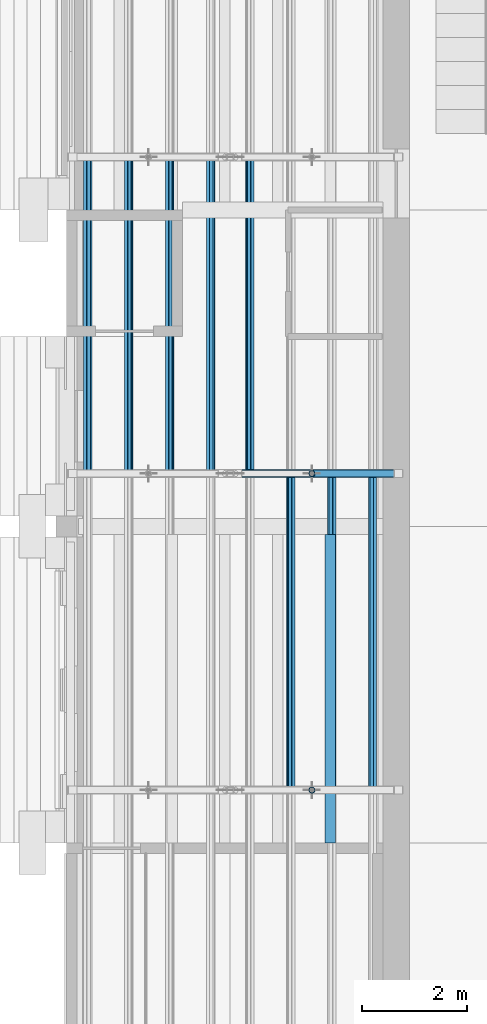
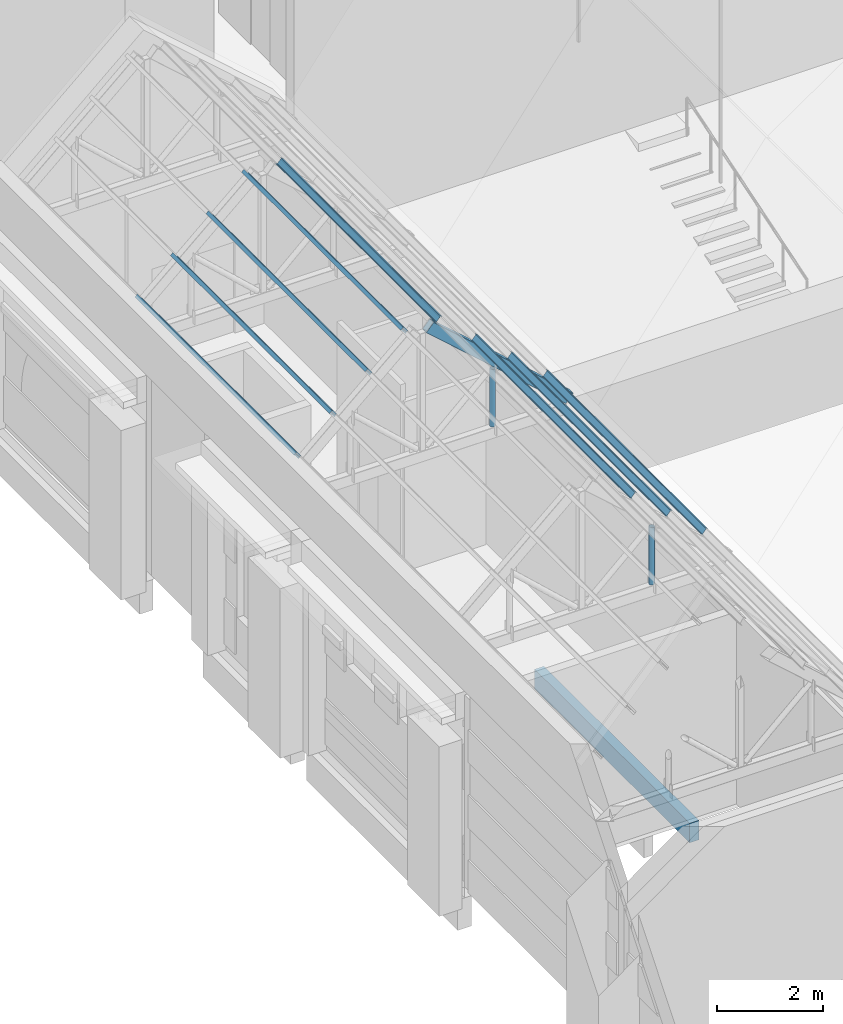
# One storey, part 40 of 118: 11 members, 1 beam.
"""IFC4 building model written with IfcOpenShell, lengths in metres."""

from ifc_helpers import new_model, si_unit, direction, frame, origin, origin_2d, place, context, subcontext, project, spatial, rectangle, hollow_rectangle, hollow_circle, i_section, extrude, material, material_profile, profile_set, type_object, element, save


model = new_model("IFC4")

# Units and contexts
model_context = context("Model", 3, precision=1e-05, world=origin(), true_north=direction((0.0, 1.0)))
body_context = subcontext(model_context, "Body", "Model", "MODEL_VIEW")
ifc_project = project(units=[si_unit("LENGTHUNIT", "METRE"), si_unit("AREAUNIT", "SQUARE_METRE"), si_unit("VOLUMEUNIT", "CUBIC_METRE"), si_unit("PLANEANGLEUNIT", "RADIAN"), si_unit("MASSUNIT", "GRAM", prefix="KILO")], contexts=[model_context])

# Site, building, storey
site_placement = place(None, origin())
site = spatial("IfcSite", under=ifc_project, at=site_placement, CompositionType="ELEMENT")
building_placement = place(site_placement, origin())
building = spatial("IfcBuilding", under=site, at=building_placement, Name="Saffron Lane Theatres", CompositionType="ELEMENT")
storey_placement = place(building_placement, frame((0.0, 0.0, 16.5)))
storey = spatial("IfcBuildingStorey", under=building, at=storey_placement, Name="L03", CompositionType="ELEMENT", Elevation=16.5)

# Beam
ifc_material_1 = material(Name="Concrete N40 (40 MPa)", Category="concrete")
ifc_material_profile_1 = material_profile(ifc_material_1, rectangle(XDim=0.199951171875, YDim=0.449951171875, at=origin_2d()))
ifc_profile_set_1 = profile_set([ifc_material_profile_1], Name="Concrete N40 (40 MPa)")
beam_type = type_object("IfcBeamType", Name="RC-JOIST 200x450", PredefinedType="JOIST", material=ifc_profile_set_1)
beam_placement = place(storey_placement, frame((17.0, 72.0, -0.47509765625), z_axis=(0.0, 1.0, 0.0), x_axis=(-1.0, 0.0, 0.0)))
element("IfcBeam", 1, at=beam_placement, inside=storey, type_object=beam_type, Name="joist-L03-y1700-720", PredefinedType="JOIST", context=body_context, shape_type="SweptSolid", body=[
    extrude(rectangle(XDim=0.199951171875, YDim=0.449951171875, at=origin_2d()), origin(), (0.0, 0.0, 1.0), 5.85009765625),
])

# Members
ifc_material_2 = material(Name="Steel Grade 350", Category="steel")
ifc_material_profile_2 = material_profile(ifc_material_2, i_section(OverallWidth=0.074951171875, OverallDepth=0.155029296875, WebThickness=0.006103515625, FlangeThickness=0.009521484375, FilletRadius=0.008056640625, at=origin_2d()))
ifc_profile_set_2 = profile_set([ifc_material_profile_2], Name="Steel Grade 350")
member_type_1 = type_object("IfcMemberType", Name="ST-STUDIO PURLIN 150UB18.0", PredefinedType="PURLIN", material=ifc_profile_set_2)
for number, where, z_axis, x_axis, name in (
    (2, (12.40283203125, 79.0, 5.544677734375), (0.0, 1.0, 0.0), (-0.748268687469, 0.0, -0.663395787863), "SB1-U61"),
    (3, (13.177734375, 79.0, 6.23193359375), (0.0, 1.0, 0.0), (-0.748268687469, 0.0, -0.663395787863), "SB1-U67"),
    (4, (13.95263671875, 79.0, 6.9189453125), (0.0, 1.0, 0.0), (-0.748268687469, 0.0, -0.663395787863), "SB1-U73"),
    (5, (14.727783203125, 79.0, 7.60595703125), (0.0, 1.0, 0.0), (-0.748268687469, 0.0, -0.663395787863), "SB1-U79"),
    (6, (17.79736328125, 73.0, 5.544677734375), (0.0, 1.0, 0.0), (-0.748268687469, 0.0, 0.663395787863), "SB1-U84"),
    (7, (17.022216796875, 73.0, 6.23193359375), (0.0, 1.0, 0.0), (-0.748268687469, 0.0, 0.663395787863), "SB1-U90"),
    (8, (16.247314453125, 73.0, 6.9189453125), (0.0, 1.0, 0.0), (-0.748268687469, 0.0, 0.663395787863), "SB1-U96"),
    (9, (15.47216796875, 79.0, 7.60595703125), (0.0, 1.0, 0.0), (-0.748268687469, 0.0, 0.663395787863), "SB1-U103"),
):
    element("IfcMember", number, at=place(storey_placement, frame(where, z_axis=z_axis, x_axis=x_axis)), inside=storey, type_object=member_type_1, Name=name, PredefinedType="PURLIN", context=body_context, shape_type="SweptSolid", body=[
        extrude(i_section(OverallWidth=0.074951171875, OverallDepth=0.155029296875, WebThickness=0.006103515625, FlangeThickness=0.009521484375, FilletRadius=0.008056640625, at=origin_2d()), origin(), (0.0, 0.0, 1.0), 6.0),
    ])
ifc_material_3 = material(Name="Steel Grade 350", Category="steel")
ifc_material_profile_3 = material_profile(ifc_material_3, hollow_rectangle(XDim=0.14990234375, YDim=0.25, WallThickness=0.009033203125, InnerFilletRadius=0.00439453125, OuterFilletRadius=0.013427734375, at=origin_2d()))
ifc_profile_set_3 = profile_set([ifc_material_profile_3], Name="Steel Grade 350")
member_type_2 = type_object("IfcMemberType", Name="ST-STUDIO TRUSS CHORD 250x150x9 RHS", PredefinedType="CHORD", material=ifc_profile_set_3)
member_placement = place(storey_placement, frame((18.282958984375, 79.0, 4.843505859375), z_axis=(-0.748261446236, 0.0, 0.663403955428), x_axis=(0.0, -1.0, 0.0)))
element("IfcMember", 10, at=member_placement, inside=storey, type_object=member_type_2, Name="SB1-C35", PredefinedType="CHORD", context=body_context, shape_type="SweptSolid", body=[
    extrude(hollow_rectangle(XDim=0.14990234375, YDim=0.25, WallThickness=0.009033203125, InnerFilletRadius=0.00439453125, OuterFilletRadius=0.013427734375, at=origin_2d()), origin(), (0.0, 0.0, 1.0), 4.0595703125),
])
ifc_material_4 = material(Name="Steel Grade 350", Category="steel")
ifc_material_profile_4 = material_profile(ifc_material_4, hollow_circle(Radius=0.05712890625, WallThickness=0.006103515625, at=origin_2d()))
ifc_profile_set_4 = profile_set([ifc_material_profile_4], Name="Steel Grade 350")
member_type_3 = type_object("IfcMemberType", Name="ST-STUDIO TRUSS WEB 114.3x6.0 CHS", PredefinedType="BRACE", material=ifc_profile_set_4)
for number, where, z_axis, x_axis, name in (
    (11, (16.64990234375, 73.0, 4.75), (0.0, 0.0, 1.0), (1.0, 0.0, 0.0), "SB1-W30"),
    (12, (16.64990234375, 79.0, 4.75), (0.0, 0.0, 1.0), (1.0, 0.0, 0.0), "SB1-W38"),
):
    element("IfcMember", number, at=place(storey_placement, frame(where, z_axis=z_axis, x_axis=x_axis)), inside=storey, type_object=member_type_3, Name=name, PredefinedType="BRACE", context=body_context, shape_type="SweptSolid", body=[
        extrude(hollow_circle(Radius=0.05712890625, WallThickness=0.006103515625, at=origin_2d()), origin(), (0.0, 0.0, 1.0), 1.323486328125),
    ])

save(model, "model.ifc")
